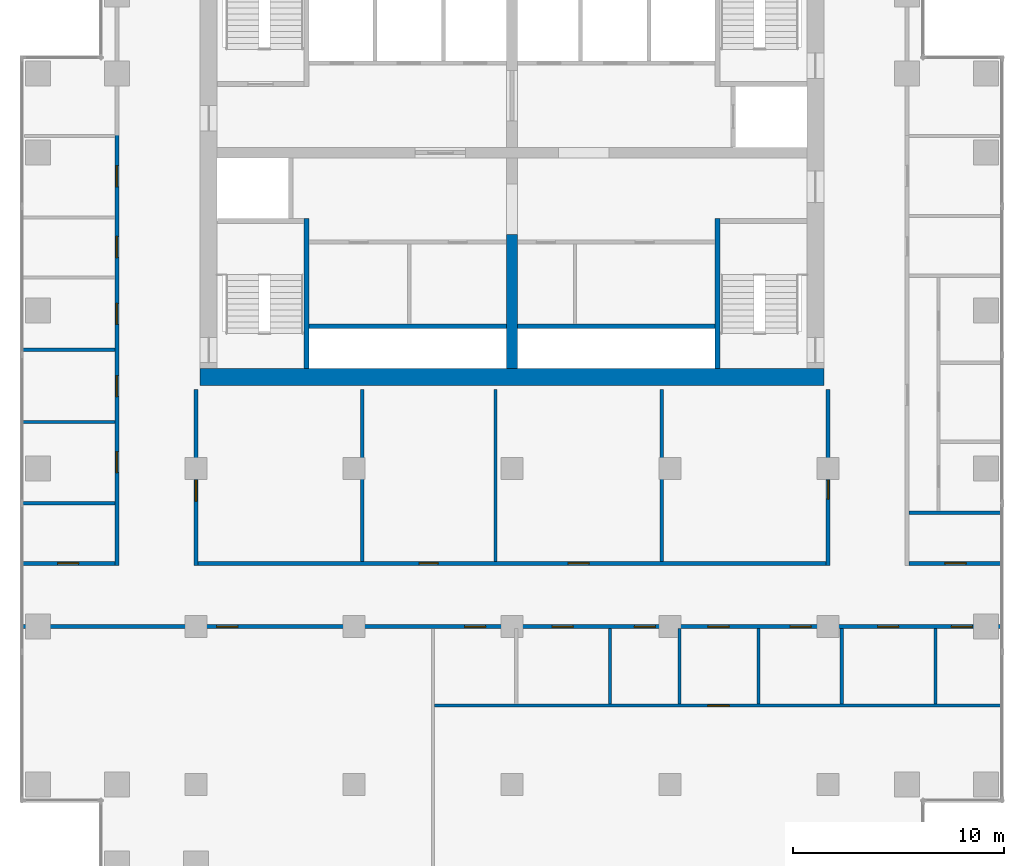
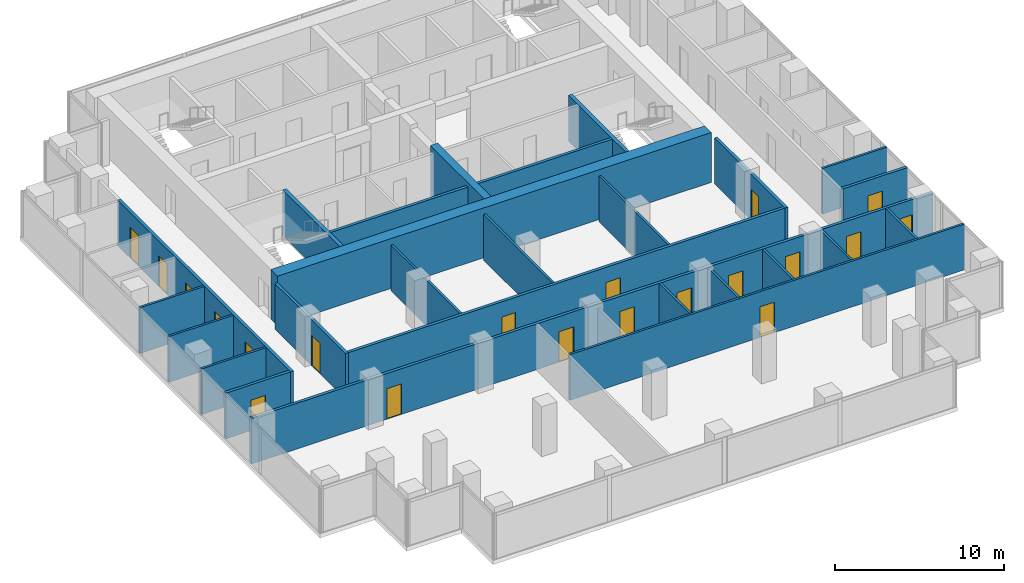
# One storey, part 7 of 10: 26 walls, 20 doors, 20 openings.
"""IFC4 building model written with IfcOpenShell, lengths in metres."""

from ifc_helpers import new_model, si_unit, direction, frame, frame_2d, origin, place, context, subcontext, project, spatial, rectangle, extrude, material, layer, layer_set, type_object, element, fill, save


model = new_model("IFC4")

# Units and contexts
model_context = context("Model", 3, precision=1e-05, world=origin(), true_north=direction((0.0, 1.0)))
body_context = subcontext(model_context, "Body", "Model", "MODEL_VIEW")
ifc_project = project(units=[si_unit("LENGTHUNIT", "METRE"), si_unit("AREAUNIT", "SQUARE_METRE"), si_unit("VOLUMEUNIT", "CUBIC_METRE"), si_unit("PLANEANGLEUNIT", "RADIAN"), si_unit("MASSUNIT", "GRAM", prefix="KILO")], contexts=[model_context])

# Site, building, storey
site_placement = place(None, origin())
site = spatial("IfcSite", under=ifc_project, at=site_placement, CompositionType="ELEMENT")
building_placement = place(site_placement, origin())
building = spatial("IfcBuilding", under=site, at=building_placement, Name="Pilkhan Gate Tower", CompositionType="ELEMENT")
storey_placement = place(building_placement, frame((0.0, 0.0, 158.5)))
storey = spatial("IfcBuildingStorey", under=building, at=storey_placement, Name="L40", CompositionType="ELEMENT", Elevation=158.5)

# Wall
ifc_material_1 = material(Name="Concrete C60/75", Category="concrete")
ifc_layer_1 = layer(ifc_material_1, 0.800048828125)
ifc_layer_set_1 = layer_set([ifc_layer_1], Name="Core wall CW800 C60/75")
wall_type_1 = type_object("IfcWallType", Name="Core wall CW800 C60/75", PredefinedType="SHEAR", material=ifc_layer_set_1)
wall_1_placement = place(storey_placement, frame((60.199951171875, 71.85009765625, 0.0), z_axis=(0.0, 0.0, 1.0), x_axis=(1.0, 0.0, 0.0)))
element("IfcWall", 1, at=wall_1_placement, inside=storey, type_object=wall_type_1, Name="Core wall S L40", PredefinedType="SHEAR", context=body_context, shape_type="SweptSolid", body=[
    extrude(rectangle(XDim=29.60009765625, YDim=0.800048828125, at=frame_2d((14.800048828125, 0.0))), origin(), (0.0, 0.0, 1.0), 3.60009765625),
])

# Wall, openings, doors
ifc_material_2 = material(Name="Dense blockwork", Category="masonry")
ifc_layer_2 = layer(ifc_material_2, 0.199951171875)
ifc_layer_set_2 = layer_set([ifc_layer_2], Name="Corridor wall FW200")
wall_type_2 = type_object("IfcWallType", Name="Corridor wall FW200", PredefinedType="PARTITIONING", material=ifc_layer_set_2)
wall_2_placement = place(storey_placement, frame((51.735107421875, 60.0, 0.0), z_axis=(0.0, 0.0, 1.0), x_axis=(1.0, 0.0, 0.0)))
wall_2 = element("IfcWall", 2, at=wall_2_placement, inside=storey, type_object=wall_type_2, Name="Partition L40", PredefinedType="PARTITIONING", context=body_context, shape_type="SweptSolid", body=[
    extrude(rectangle(XDim=46.52978515625, YDim=0.199951171875, at=frame_2d((23.264892578125, 0.0))), origin(), (0.0, 0.0, 1.0), 3.300048828125),
])
opening_1_placement = place(wall_2_placement, frame((25.169921875, 0.0, 0.0)))
opening_1 = element("IfcOpeningElement", 3, at=opening_1_placement, cuts=wall_2, Name="Opening L40-06", PredefinedType="OPENING", context=body_context, shape_type="SweptSolid", body=[
    extrude(rectangle(XDim=1.0, YDim=2.199951171875, at=frame_2d((0.5, 1.10009765625))), frame((0.0, 0.10986328125, 0.0), z_axis=(0.0, -1.0, 0.0), x_axis=(1.0, 0.0, 0.0)), (0.0, 0.0, 1.0), 0.219970703125),
])
opening_2_placement = place(wall_2_placement, frame((32.56494140625, 0.0, 0.0)))
opening_2 = element("IfcOpeningElement", 4, at=opening_2_placement, cuts=wall_2, Name="Opening L40-07", PredefinedType="OPENING", context=body_context, shape_type="SweptSolid", body=[
    extrude(rectangle(XDim=1.0, YDim=2.199951171875, at=frame_2d((0.5, 1.10009765625))), frame((0.0, 0.10986328125, 0.0), z_axis=(0.0, -1.0, 0.0), x_axis=(1.0, 0.0, 0.0)), (0.0, 0.0, 1.0), 0.219970703125),
])
opening_3_placement = place(wall_2_placement, frame((40.6201171875, 0.0, 0.0)))
opening_3 = element("IfcOpeningElement", 5, at=opening_3_placement, cuts=wall_2, Name="Opening L40-08", PredefinedType="OPENING", context=body_context, shape_type="SweptSolid", body=[
    extrude(rectangle(XDim=1.0, YDim=2.199951171875, at=frame_2d((0.5, 1.10009765625))), frame((0.0, 0.10986328125, 0.0), z_axis=(0.0, -1.0, 0.0), x_axis=(1.0, 0.0, 0.0)), (0.0, 0.0, 1.0), 0.219970703125),
])
opening_4_placement = place(wall_2_placement, frame((9.25, 0.0, 0.0)))
opening_4 = element("IfcOpeningElement", 6, at=opening_4_placement, cuts=wall_2, Name="Opening L40-18", PredefinedType="OPENING", context=body_context, shape_type="SweptSolid", body=[
    extrude(rectangle(XDim=1.0, YDim=2.199951171875, at=frame_2d((0.5, 1.10009765625))), frame((0.0, 0.10986328125, 0.0), z_axis=(0.0, -1.0, 0.0), x_axis=(1.0, 0.0, 0.0)), (0.0, 0.0, 1.0), 0.219970703125),
])
opening_5_placement = place(wall_2_placement, frame((21.014892578125, 0.0, 0.0)))
opening_5 = element("IfcOpeningElement", 7, at=opening_5_placement, cuts=wall_2, Name="Opening L40-19", PredefinedType="OPENING", context=body_context, shape_type="SweptSolid", body=[
    extrude(rectangle(XDim=1.0, YDim=2.199951171875, at=frame_2d((0.5, 1.10009765625))), frame((0.0, 0.10986328125, 0.0), z_axis=(0.0, -1.0, 0.0), x_axis=(1.0, 0.0, 0.0)), (0.0, 0.0, 1.0), 0.219970703125),
])
opening_6_placement = place(wall_2_placement, frame((29.069091796875, 0.0, 0.0)))
opening_6 = element("IfcOpeningElement", 8, at=opening_6_placement, cuts=wall_2, Name="Opening L40-20", PredefinedType="OPENING", context=body_context, shape_type="SweptSolid", body=[
    extrude(rectangle(XDim=1.0, YDim=2.199951171875, at=frame_2d((0.5, 1.10009765625))), frame((0.0, 0.10986328125, 0.0), z_axis=(0.0, -1.0, 0.0), x_axis=(1.0, 0.0, 0.0)), (0.0, 0.0, 1.0), 0.219970703125),
])
opening_7_placement = place(wall_2_placement, frame((36.465087890625, 0.0, 0.0)))
opening_7 = element("IfcOpeningElement", 9, at=opening_7_placement, cuts=wall_2, Name="Opening L40-21", PredefinedType="OPENING", context=body_context, shape_type="SweptSolid", body=[
    extrude(rectangle(XDim=1.0, YDim=2.199951171875, at=frame_2d((0.5, 1.10009765625))), frame((0.0, 0.10986328125, 0.0), z_axis=(0.0, -1.0, 0.0), x_axis=(1.0, 0.0, 0.0)), (0.0, 0.0, 1.0), 0.219970703125),
])
opening_8_placement = place(wall_2_placement, frame((44.118896484375, 0.0, 0.0)))
opening_8 = element("IfcOpeningElement", 10, at=opening_8_placement, cuts=wall_2, Name="Opening L40-22", PredefinedType="OPENING", context=body_context, shape_type="SweptSolid", body=[
    extrude(rectangle(XDim=1.0, YDim=2.199951171875, at=frame_2d((0.5, 1.10009765625))), frame((0.0, 0.10986328125, 0.0), z_axis=(0.0, -1.0, 0.0), x_axis=(1.0, 0.0, 0.0)), (0.0, 0.0, 1.0), 0.219970703125),
])
ifc_material_3 = material(Name="Timber flush door, 30 minute fire resisting", Category="wood")
door_type_1 = type_object("IfcDoorType", Name="Room door D03 1000x2200", OperationType="SINGLE_SWING_LEFT", PredefinedType="DOOR", material=ifc_material_3)
door_1_placement = place(opening_1_placement, origin())
door_1 = element("IfcDoor", 11, at=door_1_placement, inside=storey, type_object=door_type_1, Name="Room door", OperationType="SINGLE_SWING_LEFT", OverallHeight=2.199951171875, OverallWidth=1.0, PredefinedType="DOOR", context=body_context, shape_type="SweptSolid", body=[
    extrude(rectangle(XDim=1.0, YDim=2.199951171875, at=frame_2d((0.5, 1.10009765625))), frame((0.0, 0.02490234375, 0.0), z_axis=(0.0, -1.0, 0.0), x_axis=(1.0, 0.0, 0.0)), (0.0, 0.0, 1.0), 0.050048828125),
])
fill(opening_1, door_1)
door_2_placement = place(opening_2_placement, origin())
door_2 = element("IfcDoor", 12, at=door_2_placement, inside=storey, type_object=door_type_1, Name="Room door", OperationType="SINGLE_SWING_LEFT", OverallHeight=2.199951171875, OverallWidth=1.0, PredefinedType="DOOR", context=body_context, shape_type="SweptSolid", body=[
    extrude(rectangle(XDim=1.0, YDim=2.199951171875, at=frame_2d((0.5, 1.10009765625))), frame((0.0, 0.02490234375, 0.0), z_axis=(0.0, -1.0, 0.0), x_axis=(1.0, 0.0, 0.0)), (0.0, 0.0, 1.0), 0.050048828125),
])
fill(opening_2, door_2)
door_3_placement = place(opening_3_placement, origin())
door_3 = element("IfcDoor", 13, at=door_3_placement, inside=storey, type_object=door_type_1, Name="Room door", OperationType="SINGLE_SWING_RIGHT", OverallHeight=2.199951171875, OverallWidth=1.0, PredefinedType="DOOR", context=body_context, shape_type="SweptSolid", body=[
    extrude(rectangle(XDim=1.0, YDim=2.199951171875, at=frame_2d((0.5, 1.10009765625))), frame((0.0, 0.02490234375, 0.0), z_axis=(0.0, -1.0, 0.0), x_axis=(1.0, 0.0, 0.0)), (0.0, 0.0, 1.0), 0.050048828125),
])
fill(opening_3, door_3)
door_4_placement = place(opening_4_placement, origin())
door_4 = element("IfcDoor", 14, at=door_4_placement, inside=storey, type_object=door_type_1, Name="Room door", OperationType="SINGLE_SWING_LEFT", OverallHeight=2.199951171875, OverallWidth=1.0, PredefinedType="DOOR", context=body_context, shape_type="SweptSolid", body=[
    extrude(rectangle(XDim=1.0, YDim=2.199951171875, at=frame_2d((0.5, 1.10009765625))), frame((0.0, 0.02490234375, 0.0), z_axis=(0.0, -1.0, 0.0), x_axis=(1.0, 0.0, 0.0)), (0.0, 0.0, 1.0), 0.050048828125),
])
fill(opening_4, door_4)
door_5_placement = place(opening_5_placement, origin())
door_5 = element("IfcDoor", 15, at=door_5_placement, inside=storey, type_object=door_type_1, Name="Room door", OperationType="SINGLE_SWING_LEFT", OverallHeight=2.199951171875, OverallWidth=1.0, PredefinedType="DOOR", context=body_context, shape_type="SweptSolid", body=[
    extrude(rectangle(XDim=1.0, YDim=2.199951171875, at=frame_2d((0.5, 1.10009765625))), frame((0.0, 0.02490234375, 0.0), z_axis=(0.0, -1.0, 0.0), x_axis=(1.0, 0.0, 0.0)), (0.0, 0.0, 1.0), 0.050048828125),
])
fill(opening_5, door_5)
door_6_placement = place(opening_6_placement, origin())
door_6 = element("IfcDoor", 16, at=door_6_placement, inside=storey, type_object=door_type_1, Name="Room door", OperationType="SINGLE_SWING_LEFT", OverallHeight=2.199951171875, OverallWidth=1.0, PredefinedType="DOOR", context=body_context, shape_type="SweptSolid", body=[
    extrude(rectangle(XDim=1.0, YDim=2.199951171875, at=frame_2d((0.5, 1.10009765625))), frame((0.0, 0.02490234375, 0.0), z_axis=(0.0, -1.0, 0.0), x_axis=(1.0, 0.0, 0.0)), (0.0, 0.0, 1.0), 0.050048828125),
])
fill(opening_6, door_6)
door_7_placement = place(opening_7_placement, origin())
door_7 = element("IfcDoor", 17, at=door_7_placement, inside=storey, type_object=door_type_1, Name="Room door", OperationType="SINGLE_SWING_LEFT", OverallHeight=2.199951171875, OverallWidth=1.0, PredefinedType="DOOR", context=body_context, shape_type="SweptSolid", body=[
    extrude(rectangle(XDim=1.0, YDim=2.199951171875, at=frame_2d((0.5, 1.10009765625))), frame((0.0, 0.02490234375, 0.0), z_axis=(0.0, -1.0, 0.0), x_axis=(1.0, 0.0, 0.0)), (0.0, 0.0, 1.0), 0.050048828125),
])
fill(opening_7, door_7)
door_8_placement = place(opening_8_placement, origin())
door_8 = element("IfcDoor", 18, at=door_8_placement, inside=storey, type_object=door_type_1, Name="Room door", OperationType="SINGLE_SWING_LEFT", OverallHeight=2.199951171875, OverallWidth=1.0, PredefinedType="DOOR", context=body_context, shape_type="SweptSolid", body=[
    extrude(rectangle(XDim=1.0, YDim=2.199951171875, at=frame_2d((0.5, 1.10009765625))), frame((0.0, 0.02490234375, 0.0), z_axis=(0.0, -1.0, 0.0), x_axis=(1.0, 0.0, 0.0)), (0.0, 0.0, 1.0), 0.050048828125),
])
fill(opening_8, door_8)

# Wall, opening, door
wall_3_placement = place(storey_placement, frame((51.735107421875, 63.0, 0.0), z_axis=(0.0, 0.0, 1.0), x_axis=(1.0, 0.0, 0.0)))
wall_3 = element("IfcWall", 19, at=wall_3_placement, inside=storey, type_object=wall_type_2, Name="Partition L40", PredefinedType="PARTITIONING", context=body_context, shape_type="SweptSolid", body=[
    extrude(rectangle(XDim=4.414794921875, YDim=0.199951171875, at=frame_2d((2.20751953125, 0.0))), origin(), (0.0, 0.0, 1.0), 3.300048828125),
])
opening_9_placement = place(wall_3_placement, frame((1.699951171875, 0.0, 0.0)))
opening_9 = element("IfcOpeningElement", 20, at=opening_9_placement, cuts=wall_3, Name="Opening L40-24", PredefinedType="OPENING", context=body_context, shape_type="SweptSolid", body=[
    extrude(rectangle(XDim=1.0, YDim=2.199951171875, at=frame_2d((0.5, 1.10009765625))), frame((0.0, 0.10986328125, 0.0), z_axis=(0.0, -1.0, 0.0), x_axis=(1.0, 0.0, 0.0)), (0.0, 0.0, 1.0), 0.219970703125),
])
door_9_placement = place(opening_9_placement, origin())
door_9 = element("IfcDoor", 21, at=door_9_placement, inside=storey, type_object=door_type_1, Name="Room door", OperationType="SINGLE_SWING_RIGHT", OverallHeight=2.199951171875, OverallWidth=1.0, PredefinedType="DOOR", context=body_context, shape_type="SweptSolid", body=[
    extrude(rectangle(XDim=1.0, YDim=2.199951171875, at=frame_2d((0.5, 1.10009765625))), frame((0.0, 0.02490234375, 0.0), z_axis=(0.0, -1.0, 0.0), x_axis=(1.0, 0.0, 0.0)), (0.0, 0.0, 1.0), 0.050048828125),
])
fill(opening_9, door_9)

# Wall, openings, doors
wall_4_placement = place(storey_placement, frame((60.10009765625, 63.0, 0.0), z_axis=(0.0, 0.0, 1.0), x_axis=(1.0, 0.0, 0.0)))
wall_4 = element("IfcWall", 22, at=wall_4_placement, inside=storey, type_object=wall_type_2, Name="Partition L40", PredefinedType="PARTITIONING", context=body_context, shape_type="SweptSolid", body=[
    extrude(rectangle(XDim=29.7998046875, YDim=0.199951171875, at=frame_2d((14.89990234375, 0.0))), origin(), (0.0, 0.0, 1.0), 3.300048828125),
])
opening_10_placement = place(wall_4_placement, frame((10.4951171875, 0.0, 0.0)))
opening_10 = element("IfcOpeningElement", 23, at=opening_10_placement, cuts=wall_4, Name="Opening L40-35", PredefinedType="OPENING", context=body_context, shape_type="SweptSolid", body=[
    extrude(rectangle(XDim=0.89990234375, YDim=2.199951171875, at=frame_2d((0.449951171875, 1.10009765625))), frame((0.0, 0.10986328125, 0.0), z_axis=(0.0, -1.0, 0.0), x_axis=(1.0, 0.0, 0.0)), (0.0, 0.0, 1.0), 0.219970703125),
])
opening_11_placement = place(wall_4_placement, frame((17.56103515625, 0.0, 0.0)))
opening_11 = element("IfcOpeningElement", 24, at=opening_11_placement, cuts=wall_4, Name="Opening L40-36", PredefinedType="OPENING", context=body_context, shape_type="SweptSolid", body=[
    extrude(rectangle(XDim=1.0, YDim=2.199951171875, at=frame_2d((0.5, 1.10009765625))), frame((0.0, 0.10986328125, 0.0), z_axis=(0.0, -1.0, 0.0), x_axis=(1.0, 0.0, 0.0)), (0.0, 0.0, 1.0), 0.219970703125),
])
door_10_placement = place(opening_11_placement, origin())
door_10 = element("IfcDoor", 25, at=door_10_placement, inside=storey, type_object=door_type_1, Name="Room door", OperationType="SINGLE_SWING_LEFT", OverallHeight=2.199951171875, OverallWidth=1.0, PredefinedType="DOOR", context=body_context, shape_type="SweptSolid", body=[
    extrude(rectangle(XDim=1.0, YDim=2.199951171875, at=frame_2d((0.5, 1.10009765625))), frame((0.0, 0.02490234375, 0.0), z_axis=(0.0, -1.0, 0.0), x_axis=(1.0, 0.0, 0.0)), (0.0, 0.0, 1.0), 0.050048828125),
])
fill(opening_11, door_10)
ifc_material_4 = material(Name="Timber flush door, 60 minute fire resisting, self-closing", Category="wood")
door_type_2 = type_object("IfcDoorType", Name="Store door D05 900x2200", OperationType="SINGLE_SWING_LEFT", PredefinedType="DOOR", material=ifc_material_4)
door_11_placement = place(opening_10_placement, origin())
door_11 = element("IfcDoor", 26, at=door_11_placement, inside=storey, type_object=door_type_2, Name="Store door", OperationType="SINGLE_SWING_LEFT", OverallHeight=2.199951171875, OverallWidth=0.89990234375, PredefinedType="DOOR", context=body_context, shape_type="SweptSolid", body=[
    extrude(rectangle(XDim=0.89990234375, YDim=2.199951171875, at=frame_2d((0.449951171875, 1.10009765625))), frame((0.0, 0.02490234375, 0.0), z_axis=(0.0, -1.0, 0.0), x_axis=(1.0, 0.0, 0.0)), (0.0, 0.0, 1.0), 0.050048828125),
])
fill(opening_10, door_11)

# Wall, opening, door
wall_5_placement = place(storey_placement, frame((93.85009765625, 63.0, 0.0), z_axis=(0.0, 0.0, 1.0), x_axis=(1.0, 0.0, 0.0)))
wall_5 = element("IfcWall", 27, at=wall_5_placement, inside=storey, type_object=wall_type_2, Name="Partition L40", PredefinedType="PARTITIONING", context=body_context, shape_type="SweptSolid", body=[
    extrude(rectangle(XDim=4.414794921875, YDim=0.199951171875, at=frame_2d((2.20751953125, 0.0))), origin(), (0.0, 0.0, 1.0), 3.300048828125),
])
opening_12_placement = place(wall_5_placement, frame((1.699951171875, 0.0, 0.0)))
opening_12 = element("IfcOpeningElement", 28, at=opening_12_placement, cuts=wall_5, Name="Opening L40-31", PredefinedType="OPENING", context=body_context, shape_type="SweptSolid", body=[
    extrude(rectangle(XDim=1.0, YDim=2.199951171875, at=frame_2d((0.5, 1.10009765625))), frame((0.0, 0.10986328125, 0.0), z_axis=(0.0, -1.0, 0.0), x_axis=(1.0, 0.0, 0.0)), (0.0, 0.0, 1.0), 0.219970703125),
])
door_12_placement = place(opening_12_placement, origin())
door_12 = element("IfcDoor", 29, at=door_12_placement, inside=storey, type_object=door_type_1, Name="Room door", OperationType="SINGLE_SWING_LEFT", OverallHeight=2.199951171875, OverallWidth=1.0, PredefinedType="DOOR", context=body_context, shape_type="SweptSolid", body=[
    extrude(rectangle(XDim=1.0, YDim=2.199951171875, at=frame_2d((0.5, 1.10009765625))), frame((0.0, 0.02490234375, 0.0), z_axis=(0.0, -1.0, 0.0), x_axis=(1.0, 0.0, 0.0)), (0.0, 0.0, 1.0), 0.050048828125),
])
fill(opening_12, door_12)

# Wall, openings, doors
wall_6_placement = place(storey_placement, frame((56.25, 62.89990234375, 0.0), z_axis=(0.0, 0.0, 1.0), x_axis=(0.0, 1.0, 0.0)))
wall_6 = element("IfcWall", 30, at=wall_6_placement, inside=storey, type_object=wall_type_2, Name="Partition L40", PredefinedType="PARTITIONING", context=body_context, shape_type="SweptSolid", body=[
    extrude(rectangle(XDim=20.455078125, YDim=0.199951171875, at=frame_2d((10.2275390625, 0.0))), origin(), (0.0, 0.0, 1.0), 3.300048828125),
])
opening_13_placement = place(wall_6_placement, frame((4.406005859375, 0.0, 0.0)))
opening_13 = element("IfcOpeningElement", 31, at=opening_13_placement, cuts=wall_6, Name="Opening L40-09", PredefinedType="OPENING", context=body_context, shape_type="SweptSolid", body=[
    extrude(rectangle(XDim=1.0, YDim=2.199951171875, at=frame_2d((0.5, 1.10009765625))), frame((0.0, 0.10986328125, 0.0), z_axis=(0.0, -1.0, 0.0), x_axis=(1.0, 0.0, 0.0)), (0.0, 0.0, 1.0), 0.219970703125),
])
opening_14_placement = place(wall_6_placement, frame((17.97412109375, 0.0, 0.0)))
opening_14 = element("IfcOpeningElement", 32, at=opening_14_placement, cuts=wall_6, Name="Opening L40-10", PredefinedType="OPENING", context=body_context, shape_type="SweptSolid", body=[
    extrude(rectangle(XDim=1.0, YDim=2.199951171875, at=frame_2d((0.5, 1.10009765625))), frame((0.0, 0.10986328125, 0.0), z_axis=(0.0, -1.0, 0.0), x_axis=(1.0, 0.0, 0.0)), (0.0, 0.0, 1.0), 0.219970703125),
])
opening_15_placement = place(wall_6_placement, frame((8.011962890625, 0.0, 0.0)))
opening_15 = element("IfcOpeningElement", 33, at=opening_15_placement, cuts=wall_6, Name="Opening L40-25", PredefinedType="OPENING", context=body_context, shape_type="SweptSolid", body=[
    extrude(rectangle(XDim=1.0, YDim=2.199951171875, at=frame_2d((0.5, 1.10009765625))), frame((0.0, 0.10986328125, 0.0), z_axis=(0.0, -1.0, 0.0), x_axis=(1.0, 0.0, 0.0)), (0.0, 0.0, 1.0), 0.219970703125),
])
opening_16_placement = place(wall_6_placement, frame((11.43994140625, 0.0, 0.0)))
opening_16 = element("IfcOpeningElement", 34, at=opening_16_placement, cuts=wall_6, Name="Opening L40-26", PredefinedType="OPENING", context=body_context, shape_type="SweptSolid", body=[
    extrude(rectangle(XDim=1.0, YDim=2.199951171875, at=frame_2d((0.5, 1.10009765625))), frame((0.0, 0.10986328125, 0.0), z_axis=(0.0, -1.0, 0.0), x_axis=(1.0, 0.0, 0.0)), (0.0, 0.0, 1.0), 0.219970703125),
])
opening_17_placement = place(wall_6_placement, frame((14.617919921875, 0.0, 0.0)))
opening_17 = element("IfcOpeningElement", 35, at=opening_17_placement, cuts=wall_6, Name="Opening L40-27", PredefinedType="OPENING", context=body_context, shape_type="SweptSolid", body=[
    extrude(rectangle(XDim=1.0, YDim=2.199951171875, at=frame_2d((0.5, 1.10009765625))), frame((0.0, 0.10986328125, 0.0), z_axis=(0.0, -1.0, 0.0), x_axis=(1.0, 0.0, 0.0)), (0.0, 0.0, 1.0), 0.219970703125),
])
door_13_placement = place(opening_13_placement, origin())
door_13 = element("IfcDoor", 36, at=door_13_placement, inside=storey, type_object=door_type_1, Name="Room door", OperationType="SINGLE_SWING_LEFT", OverallHeight=2.199951171875, OverallWidth=1.0, PredefinedType="DOOR", context=body_context, shape_type="SweptSolid", body=[
    extrude(rectangle(XDim=1.0, YDim=2.199951171875, at=frame_2d((0.5, 1.10009765625))), frame((0.0, 0.02490234375, 0.0), z_axis=(0.0, -1.0, 0.0), x_axis=(1.0, 0.0, 0.0)), (0.0, 0.0, 1.0), 0.050048828125),
])
fill(opening_13, door_13)
door_14_placement = place(opening_14_placement, origin())
door_14 = element("IfcDoor", 37, at=door_14_placement, inside=storey, type_object=door_type_1, Name="Room door", OperationType="SINGLE_SWING_LEFT", OverallHeight=2.199951171875, OverallWidth=1.0, PredefinedType="DOOR", context=body_context, shape_type="SweptSolid", body=[
    extrude(rectangle(XDim=1.0, YDim=2.199951171875, at=frame_2d((0.5, 1.10009765625))), frame((0.0, 0.02490234375, 0.0), z_axis=(0.0, -1.0, 0.0), x_axis=(1.0, 0.0, 0.0)), (0.0, 0.0, 1.0), 0.050048828125),
])
fill(opening_14, door_14)
door_15_placement = place(opening_15_placement, origin())
door_15 = element("IfcDoor", 38, at=door_15_placement, inside=storey, type_object=door_type_1, Name="Room door", OperationType="SINGLE_SWING_RIGHT", OverallHeight=2.199951171875, OverallWidth=1.0, PredefinedType="DOOR", context=body_context, shape_type="SweptSolid", body=[
    extrude(rectangle(XDim=1.0, YDim=2.199951171875, at=frame_2d((0.5, 1.10009765625))), frame((0.0, 0.02490234375, 0.0), z_axis=(0.0, -1.0, 0.0), x_axis=(1.0, 0.0, 0.0)), (0.0, 0.0, 1.0), 0.050048828125),
])
fill(opening_15, door_15)
door_16_placement = place(opening_16_placement, origin())
door_16 = element("IfcDoor", 39, at=door_16_placement, inside=storey, type_object=door_type_1, Name="Room door", OperationType="SINGLE_SWING_RIGHT", OverallHeight=2.199951171875, OverallWidth=1.0, PredefinedType="DOOR", context=body_context, shape_type="SweptSolid", body=[
    extrude(rectangle(XDim=1.0, YDim=2.199951171875, at=frame_2d((0.5, 1.10009765625))), frame((0.0, 0.02490234375, 0.0), z_axis=(0.0, -1.0, 0.0), x_axis=(1.0, 0.0, 0.0)), (0.0, 0.0, 1.0), 0.050048828125),
])
fill(opening_16, door_16)
door_17_placement = place(opening_17_placement, origin())
door_17 = element("IfcDoor", 40, at=door_17_placement, inside=storey, type_object=door_type_1, Name="Room door", OperationType="SINGLE_SWING_LEFT", OverallHeight=2.199951171875, OverallWidth=1.0, PredefinedType="DOOR", context=body_context, shape_type="SweptSolid", body=[
    extrude(rectangle(XDim=1.0, YDim=2.199951171875, at=frame_2d((0.5, 1.10009765625))), frame((0.0, 0.02490234375, 0.0), z_axis=(0.0, -1.0, 0.0), x_axis=(1.0, 0.0, 0.0)), (0.0, 0.0, 1.0), 0.050048828125),
])
fill(opening_17, door_17)

# Wall, opening, door
wall_7_placement = place(storey_placement, frame((60.0, 62.89990234375, 0.0), z_axis=(0.0, 0.0, 1.0), x_axis=(0.0, 1.0, 0.0)))
wall_7 = element("IfcWall", 41, at=wall_7_placement, inside=storey, type_object=wall_type_2, Name="Partition L40", PredefinedType="PARTITIONING", context=body_context, shape_type="SweptSolid", body=[
    extrude(rectangle(XDim=8.35009765625, YDim=0.199951171875, at=frame_2d((4.175048828125, 0.0))), origin(), (0.0, 0.0, 1.0), 3.300048828125),
])
opening_18_placement = place(wall_7_placement, frame((3.050048828125, 0.0, 0.0)))
opening_18 = element("IfcOpeningElement", 42, at=opening_18_placement, cuts=wall_7, Name="Opening L40-34", PredefinedType="OPENING", context=body_context, shape_type="SweptSolid", body=[
    extrude(rectangle(XDim=1.0, YDim=2.199951171875, at=frame_2d((0.5, 1.10009765625))), frame((0.0, 0.10986328125, 0.0), z_axis=(0.0, -1.0, 0.0), x_axis=(1.0, 0.0, 0.0)), (0.0, 0.0, 1.0), 0.219970703125),
])
door_18_placement = place(opening_18_placement, origin())
door_18 = element("IfcDoor", 43, at=door_18_placement, inside=storey, type_object=door_type_1, Name="Room door", OperationType="SINGLE_SWING_RIGHT", OverallHeight=2.199951171875, OverallWidth=1.0, PredefinedType="DOOR", context=body_context, shape_type="SweptSolid", body=[
    extrude(rectangle(XDim=1.0, YDim=2.199951171875, at=frame_2d((0.5, 1.10009765625))), frame((0.0, 0.02490234375, 0.0), z_axis=(0.0, -1.0, 0.0), x_axis=(1.0, 0.0, 0.0)), (0.0, 0.0, 1.0), 0.050048828125),
])
fill(opening_18, door_18)

wall_8_placement = place(storey_placement, frame((90.0, 62.89990234375, 0.0), z_axis=(0.0, 0.0, 1.0), x_axis=(0.0, 1.0, 0.0)))
wall_8 = element("IfcWall", 44, at=wall_8_placement, inside=storey, type_object=wall_type_2, Name="Partition L40", PredefinedType="PARTITIONING", context=body_context, shape_type="SweptSolid", body=[
    extrude(rectangle(XDim=8.35009765625, YDim=0.199951171875, at=frame_2d((4.175048828125, 0.0))), origin(), (0.0, 0.0, 1.0), 3.300048828125),
])
opening_19_placement = place(wall_8_placement, frame((3.14990234375, 0.0, 0.0)))
opening_19 = element("IfcOpeningElement", 45, at=opening_19_placement, cuts=wall_8, Name="Opening L40-37", PredefinedType="OPENING", context=body_context, shape_type="SweptSolid", body=[
    extrude(rectangle(XDim=0.89990234375, YDim=2.199951171875, at=frame_2d((0.449951171875, 1.10009765625))), frame((0.0, 0.10986328125, 0.0), z_axis=(0.0, -1.0, 0.0), x_axis=(1.0, 0.0, 0.0)), (0.0, 0.0, 1.0), 0.219970703125),
])
door_19_placement = place(opening_19_placement, origin())
door_19 = element("IfcDoor", 46, at=door_19_placement, inside=storey, type_object=door_type_2, Name="Store door", OperationType="SINGLE_SWING_RIGHT", OverallHeight=2.199951171875, OverallWidth=0.89990234375, PredefinedType="DOOR", context=body_context, shape_type="SweptSolid", body=[
    extrude(rectangle(XDim=0.89990234375, YDim=2.199951171875, at=frame_2d((0.449951171875, 1.10009765625))), frame((0.0, 0.02490234375, 0.0), z_axis=(0.0, -1.0, 0.0), x_axis=(1.0, 0.0, 0.0)), (0.0, 0.0, 1.0), 0.050048828125),
])
fill(opening_19, door_19)

# Walls
ifc_layer_3 = layer(ifc_material_2, 0.199951171875)
ifc_layer_set_3 = layer_set([ifc_layer_3], Name="Lobby wall LW200")
wall_type_3 = type_object("IfcWallType", Name="Lobby wall LW200", PredefinedType="PARTITIONING", material=ifc_layer_set_3)
for number, where, z_axis, x_axis, name in (
    (47, (65.375, 74.25, 0.0), (0.0, 0.0, 1.0), (1.0, 0.0, 0.0), "Partition L40"),
    (48, (75.260009765625, 74.25, 0.0), (0.0, 0.0, 1.0), (1.0, 0.0, 0.0), "Partition L40"),
):
    element("IfcWall", number, at=place(storey_placement, frame(where, z_axis=z_axis, x_axis=x_axis)), inside=storey, type_object=wall_type_3, Name=name, PredefinedType="PARTITIONING", context=body_context, shape_type="SweptSolid", body=[
        extrude(rectangle(XDim=9.364990234375, YDim=0.199951171875, at=frame_2d((4.6826171875, 0.0))), origin(), (0.0, 0.0, 1.0), 3.300048828125),
    ])

# Wall, opening, door
ifc_material_5 = material(Name="Blockwork partition, plastered both sides", Category="masonry")
ifc_layer_4 = layer(ifc_material_5, 0.14990234375)
ifc_layer_set_4 = layer_set([ifc_layer_4], Name="Partition PW150")
wall_type_4 = type_object("IfcWallType", Name="Partition PW150", PredefinedType="PARTITIONING", material=ifc_layer_set_4)
wall_9_placement = place(storey_placement, frame((71.324951171875, 56.25, 0.0), z_axis=(0.0, 0.0, 1.0), x_axis=(1.0, 0.0, 0.0)))
wall_9 = element("IfcWall", 49, at=wall_9_placement, inside=storey, type_object=wall_type_4, Name="Partition L40", PredefinedType="PARTITIONING", context=body_context, shape_type="SweptSolid", body=[
    extrude(rectangle(XDim=26.93994140625, YDim=0.14990234375, at=frame_2d((13.469970703125, 0.0))), origin(), (0.0, 0.0, 1.0), 3.300048828125),
])
opening_20_placement = place(wall_9_placement, frame((12.97509765625, 0.0, 0.0)))
opening_20 = element("IfcOpeningElement", 50, at=opening_20_placement, cuts=wall_9, Name="Opening L40-23", PredefinedType="OPENING", context=body_context, shape_type="SweptSolid", body=[
    extrude(rectangle(XDim=1.0, YDim=2.199951171875, at=frame_2d((0.5, 1.10009765625))), frame((0.0, 0.0849609375, 0.0), z_axis=(0.0, -1.0, 0.0), x_axis=(1.0, 0.0, 0.0)), (0.0, 0.0, 1.0), 0.169921875),
])
door_20_placement = place(opening_20_placement, origin())
door_20 = element("IfcDoor", 51, at=door_20_placement, inside=storey, type_object=door_type_1, Name="Room door", OperationType="SINGLE_SWING_LEFT", OverallHeight=2.199951171875, OverallWidth=1.0, PredefinedType="DOOR", context=body_context, shape_type="SweptSolid", body=[
    extrude(rectangle(XDim=1.0, YDim=2.199951171875, at=frame_2d((0.5, 1.10009765625))), frame((0.0, 0.02490234375, 0.0), z_axis=(0.0, -1.0, 0.0), x_axis=(1.0, 0.0, 0.0)), (0.0, 0.0, 1.0), 0.050048828125),
])
fill(opening_20, door_20)

# Walls
for number, where, z_axis, x_axis, name in (
    (52, (93.85009765625, 65.39990234375, 0.0), (0.0, 0.0, 1.0), (1.0, 0.0, 0.0), "Partition L40"),
    (53, (51.735107421875, 65.85595703125, 0.0), (0.0, 0.0, 1.0), (1.0, 0.0, 0.0), "Partition L40"),
    (54, (51.735107421875, 69.7119140625, 0.0), (0.0, 0.0, 1.0), (1.0, 0.0, 0.0), "Partition L40"),
    (55, (51.735107421875, 73.139892578125, 0.0), (0.0, 0.0, 1.0), (1.0, 0.0, 0.0), "Partition L40"),
):
    element("IfcWall", number, at=place(storey_placement, frame(where, z_axis=z_axis, x_axis=x_axis)), inside=storey, type_object=wall_type_4, Name=name, PredefinedType="PARTITIONING", context=body_context, shape_type="SweptSolid", body=[
        extrude(rectangle(XDim=4.414794921875, YDim=0.14990234375, at=frame_2d((2.20751953125, 0.0))), origin(), (0.0, 0.0, 1.0), 3.300048828125),
    ])
for number, where, z_axis, x_axis, name in (
    (56, (67.89501953125, 63.10009765625, 0.0), (0.0, 0.0, 1.0), (0.0, 1.0, 0.0), "Partition L40"),
    (57, (74.2109375, 63.10009765625, 0.0), (0.0, 0.0, 1.0), (0.0, 1.0, 0.0), "Partition L40"),
):
    element("IfcWall", number, at=place(storey_placement, frame(where, z_axis=z_axis, x_axis=x_axis)), inside=storey, type_object=wall_type_4, Name=name, PredefinedType="PARTITIONING", context=body_context, shape_type="SweptSolid", body=[
        extrude(rectangle(XDim=8.14990234375, YDim=0.14990234375, at=frame_2d((4.074951171875, 0.0))), origin(), (0.0, 0.0, 1.0), 3.300048828125),
    ])
wall_10_placement = place(storey_placement, frame((79.654052734375, 56.324951171875, 0.0), z_axis=(0.0, 0.0, 1.0), x_axis=(0.0, 1.0, 0.0)))
element("IfcWall", 58, at=wall_10_placement, inside=storey, type_object=wall_type_4, Name="Partition L40", PredefinedType="PARTITIONING", context=body_context, shape_type="SweptSolid", body=[
    extrude(rectangle(XDim=3.574951171875, YDim=0.14990234375, at=frame_2d((1.78759765625, 0.0))), origin(), (0.0, 0.0, 1.0), 3.300048828125),
])
wall_11_placement = place(storey_placement, frame((82.10498046875, 63.10009765625, 0.0), z_axis=(0.0, 0.0, 1.0), x_axis=(0.0, 1.0, 0.0)))
element("IfcWall", 59, at=wall_11_placement, inside=storey, type_object=wall_type_4, Name="Partition L40", PredefinedType="PARTITIONING", context=body_context, shape_type="SweptSolid", body=[
    extrude(rectangle(XDim=8.14990234375, YDim=0.14990234375, at=frame_2d((4.074951171875, 0.0))), origin(), (0.0, 0.0, 1.0), 3.300048828125),
])
for number, where, z_axis, x_axis, name in (
    (60, (82.949951171875, 56.324951171875, 0.0), (0.0, 0.0, 1.0), (0.0, 1.0, 0.0), "Partition L40"),
    (61, (86.699951171875, 56.324951171875, 0.0), (0.0, 0.0, 1.0), (0.0, 1.0, 0.0), "Partition L40"),
    (62, (90.655029296875, 56.324951171875, 0.0), (0.0, 0.0, 1.0), (0.0, 1.0, 0.0), "Partition L40"),
    (63, (95.10400390625, 56.324951171875, 0.0), (0.0, 0.0, 1.0), (0.0, 1.0, 0.0), "Partition L40"),
):
    element("IfcWall", number, at=place(storey_placement, frame(where, z_axis=z_axis, x_axis=x_axis)), inside=storey, type_object=wall_type_4, Name=name, PredefinedType="PARTITIONING", context=body_context, shape_type="SweptSolid", body=[
        extrude(rectangle(XDim=3.574951171875, YDim=0.14990234375, at=frame_2d((1.78759765625, 0.0))), origin(), (0.0, 0.0, 1.0), 3.300048828125),
    ])
ifc_layer_5 = layer(ifc_material_1, 0.5)
ifc_layer_set_5 = layer_set([ifc_layer_5], Name="Spine wall SW500 C60/75")
wall_type_5 = type_object("IfcWallType", Name="Spine wall SW500 C60/75", PredefinedType="SHEAR", material=ifc_layer_set_5)
wall_12_placement = place(storey_placement, frame((75.0, 72.25, 0.0), z_axis=(0.0, 0.0, 1.0), x_axis=(0.0, 1.0, 0.0)))
element("IfcWall", 64, at=wall_12_placement, inside=storey, type_object=wall_type_5, Name="Spine wall SP-NS-S1 L40", PredefinedType="SHEAR", context=body_context, shape_type="SweptSolid", body=[
    extrude(rectangle(XDim=6.35009765625, YDim=0.5, at=frame_2d((3.175048828125, 0.0))), origin(), (0.0, 0.0, 1.0), 3.60009765625),
])
ifc_material_6 = material(Name="Reinforced blockwork, 120 minute fire resisting", Category="masonry")
ifc_layer_6 = layer(ifc_material_6, 0.25)
ifc_layer_set_6 = layer_set([ifc_layer_6], Name="Stair enclosure wall SE250")
wall_type_6 = type_object("IfcWallType", Name="Stair enclosure wall SE250", PredefinedType="PARTITIONING", material=ifc_layer_set_6)
for number, where, z_axis, x_axis, name in (
    (65, (65.25, 72.25, 0.0), (0.0, 0.0, 1.0), (0.0, 1.0, 0.0), "Partition L40"),
    (66, (84.75, 72.25, 0.0), (0.0, 0.0, 1.0), (0.0, 1.0, 0.0), "Partition L40"),
):
    element("IfcWall", number, at=place(storey_placement, frame(where, z_axis=z_axis, x_axis=x_axis)), inside=storey, type_object=wall_type_6, Name=name, PredefinedType="PARTITIONING", context=body_context, shape_type="SweptSolid", body=[
        extrude(rectangle(XDim=7.125, YDim=0.25, at=frame_2d((3.5625, 0.0))), origin(), (0.0, 0.0, 1.0), 3.300048828125),
    ])

save(model, "model.ifc")
